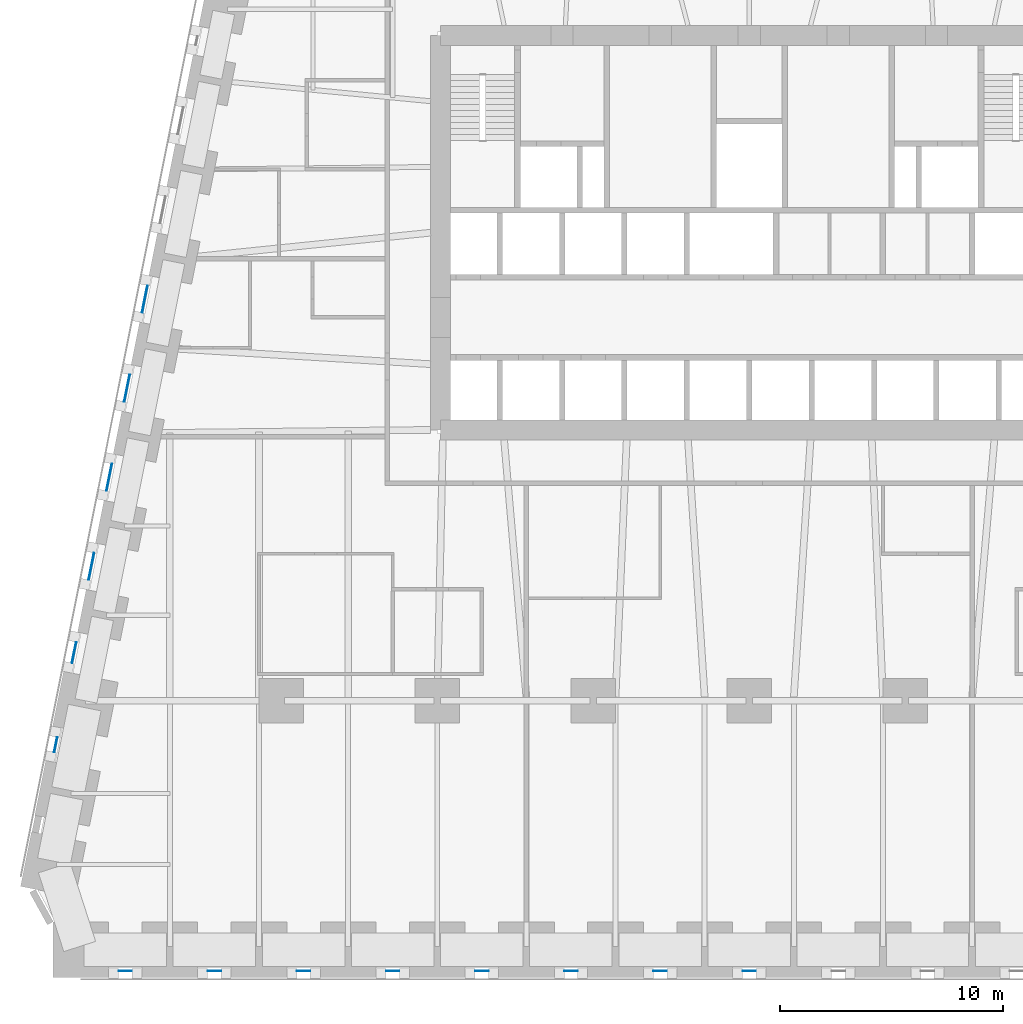
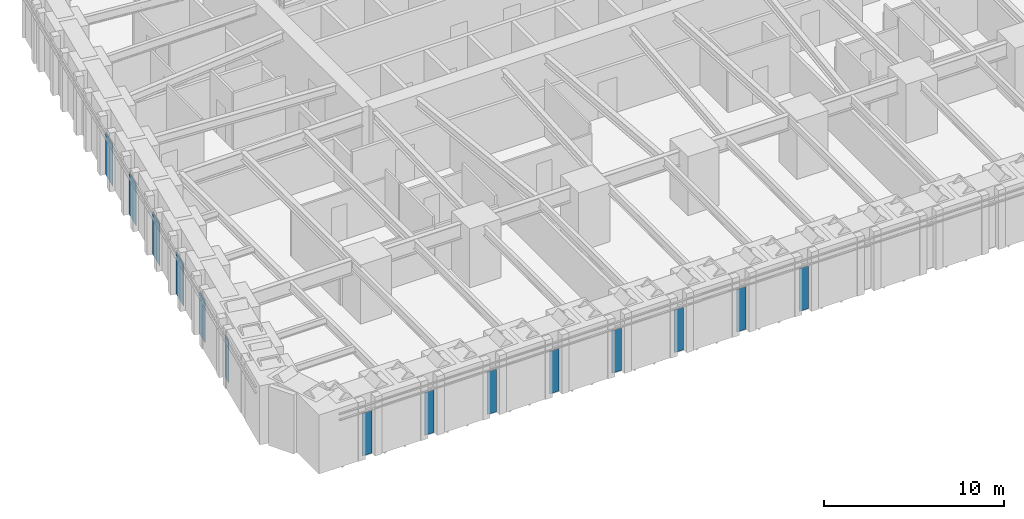
# One storey, part 7 of 16: 14 plates, 14 elements without a shape of their own.
"""IFC4 building model written with IfcOpenShell, lengths in metres."""

from ifc_helpers import new_model, si_unit, direction, frame, origin, origin_2d, place, context, subcontext, project, spatial, rectangle, extrude, material, layer, layer_set, type_object, element, aggregate, save


model = new_model("IFC4")

# Units and contexts
model_context = context("Model", 3, precision=1e-05, world=origin(), true_north=direction((0.0, 1.0)))
body_context = subcontext(model_context, "Body", "Model", "MODEL_VIEW")
ifc_project = project(units=[si_unit("LENGTHUNIT", "METRE"), si_unit("AREAUNIT", "SQUARE_METRE"), si_unit("VOLUMEUNIT", "CUBIC_METRE"), si_unit("PLANEANGLEUNIT", "RADIAN"), si_unit("MASSUNIT", "GRAM", prefix="KILO")], contexts=[model_context])

# Site, building, storey
site_placement = place(None, origin())
site = spatial("IfcSite", under=ifc_project, at=site_placement, CompositionType="ELEMENT")
building_placement = place(site_placement, origin())
building = spatial("IfcBuilding", under=site, at=building_placement, Name="Isbrekke Arena Tower", CompositionType="ELEMENT")
storey_placement = place(building_placement, frame((0.0, 0.0, 40.0)))
storey = spatial("IfcBuildingStorey", under=building, at=storey_placement, Name="L07", CompositionType="ELEMENT", Elevation=40.0)

# Curtain wall, plate
ifc_material_1 = material(Name="Glazed aluminium curtain wall", Category="aluminium")
curtain_wall_type = type_object("IfcCurtainWallType", Name="CWL TOWER CURTAIN WALL LOW ZONE", PredefinedType="USERDEFINED", material=ifc_material_1)
curtain_wall_1_placement = place(storey_placement, origin())
curtain_wall_1 = element("IfcCurtainWall", 1, at=curtain_wall_1_placement, inside=storey, type_object=curtain_wall_type, Name="CWL curtain wall L07-S", ObjectType="TOWER CURTAIN WALL LOW ZONE", PredefinedType="USERDEFINED")
ifc_material_2 = material(Name="Triple-glazed clear glass unit", Category="glass")
ifc_layer = layer(ifc_material_2, 0.031982421875)
ifc_layer_set = layer_set([ifc_layer], Name="CWL-P VISION PANEL")
plate_type = type_object("IfcPlateType", Name="CWL-P VISION PANEL", PredefinedType="CURTAIN_PANEL", material=ifc_layer_set)
plate_1_placement = place(storey_placement, frame((-28.0009765625, -18.125, 0.02001953125), z_axis=(0.0, 0.0, 1.0), x_axis=(1.0, 0.0, 0.0)))
plate_1 = element("IfcPlate", 2, at=plate_1_placement, type_object=plate_type, Name="CWL-P panel 1", PredefinedType="CURTAIN_PANEL", context=body_context, shape_type="SweptSolid", body=[
    extrude(rectangle(XDim=0.60205078125, YDim=0.031982421875, at=origin_2d()), origin(), (0.0, 0.0, 1.0), 2.8798828125),
])
aggregate(curtain_wall_1, [plate_1])

curtain_wall_2_placement = place(storey_placement, origin())
curtain_wall_2 = element("IfcCurtainWall", 3, at=curtain_wall_2_placement, inside=storey, type_object=curtain_wall_type, Name="CWL curtain wall L07-S3", ObjectType="TOWER CURTAIN WALL LOW ZONE", PredefinedType="USERDEFINED")
plate_2_placement = place(storey_placement, frame((-24.0, -18.125, 0.02001953125), z_axis=(0.0, 0.0, 1.0), x_axis=(1.0, 0.0, 0.0)))
plate_2 = element("IfcPlate", 4, at=plate_2_placement, type_object=plate_type, Name="CWL-P panel 1", PredefinedType="CURTAIN_PANEL", context=body_context, shape_type="SweptSolid", body=[
    extrude(rectangle(XDim=0.60009765625, YDim=0.031982421875, at=origin_2d()), origin(), (0.0, 0.0, 1.0), 2.8798828125),
])
aggregate(curtain_wall_2, [plate_2])

curtain_wall_3_placement = place(storey_placement, origin())
curtain_wall_3 = element("IfcCurtainWall", 5, at=curtain_wall_3_placement, inside=storey, type_object=curtain_wall_type, Name="CWL curtain wall L07-S5", ObjectType="TOWER CURTAIN WALL LOW ZONE", PredefinedType="USERDEFINED")
plate_3_placement = place(storey_placement, frame((-20.0, -18.125, 0.02001953125), z_axis=(0.0, 0.0, 1.0), x_axis=(1.0, 0.0, 0.0)))
plate_3 = element("IfcPlate", 6, at=plate_3_placement, type_object=plate_type, Name="CWL-P panel 1", PredefinedType="CURTAIN_PANEL", context=body_context, shape_type="SweptSolid", body=[
    extrude(rectangle(XDim=0.60009765625, YDim=0.031982421875, at=origin_2d()), origin(), (0.0, 0.0, 1.0), 2.8798828125),
])
aggregate(curtain_wall_3, [plate_3])

curtain_wall_4_placement = place(storey_placement, origin())
curtain_wall_4 = element("IfcCurtainWall", 7, at=curtain_wall_4_placement, inside=storey, type_object=curtain_wall_type, Name="CWL curtain wall L07-S7", ObjectType="TOWER CURTAIN WALL LOW ZONE", PredefinedType="USERDEFINED")
plate_4_placement = place(storey_placement, frame((-16.0, -18.125, 0.02001953125), z_axis=(0.0, 0.0, 1.0), x_axis=(1.0, 0.0, 0.0)))
plate_4 = element("IfcPlate", 8, at=plate_4_placement, type_object=plate_type, Name="CWL-P panel 1", PredefinedType="CURTAIN_PANEL", context=body_context, shape_type="SweptSolid", body=[
    extrude(rectangle(XDim=0.60009765625, YDim=0.031982421875, at=origin_2d()), origin(), (0.0, 0.0, 1.0), 2.8798828125),
])
aggregate(curtain_wall_4, [plate_4])

curtain_wall_5_placement = place(storey_placement, origin())
curtain_wall_5 = element("IfcCurtainWall", 9, at=curtain_wall_5_placement, inside=storey, type_object=curtain_wall_type, Name="CWL curtain wall L07-S9", ObjectType="TOWER CURTAIN WALL LOW ZONE", PredefinedType="USERDEFINED")
plate_5_placement = place(storey_placement, frame((-12.0, -18.125, 0.02001953125), z_axis=(0.0, 0.0, 1.0), x_axis=(1.0, 0.0, 0.0)))
plate_5 = element("IfcPlate", 10, at=plate_5_placement, type_object=plate_type, Name="CWL-P panel 1", PredefinedType="CURTAIN_PANEL", context=body_context, shape_type="SweptSolid", body=[
    extrude(rectangle(XDim=0.60009765625, YDim=0.031982421875, at=origin_2d()), origin(), (0.0, 0.0, 1.0), 2.8798828125),
])
aggregate(curtain_wall_5, [plate_5])

curtain_wall_6_placement = place(storey_placement, origin())
curtain_wall_6 = element("IfcCurtainWall", 11, at=curtain_wall_6_placement, inside=storey, type_object=curtain_wall_type, Name="CWL curtain wall L07-S11", ObjectType="TOWER CURTAIN WALL LOW ZONE", PredefinedType="USERDEFINED")
plate_6_placement = place(storey_placement, frame((-8.0, -18.125, 0.02001953125), z_axis=(0.0, 0.0, 1.0), x_axis=(1.0, 0.0, 0.0)))
plate_6 = element("IfcPlate", 12, at=plate_6_placement, type_object=plate_type, Name="CWL-P panel 1", PredefinedType="CURTAIN_PANEL", context=body_context, shape_type="SweptSolid", body=[
    extrude(rectangle(XDim=0.60009765625, YDim=0.031982421875, at=origin_2d()), origin(), (0.0, 0.0, 1.0), 2.8798828125),
])
aggregate(curtain_wall_6, [plate_6])

curtain_wall_7_placement = place(storey_placement, origin())
curtain_wall_7 = element("IfcCurtainWall", 13, at=curtain_wall_7_placement, inside=storey, type_object=curtain_wall_type, Name="CWL curtain wall L07-S13", ObjectType="TOWER CURTAIN WALL LOW ZONE", PredefinedType="USERDEFINED")
plate_7_placement = place(storey_placement, frame((-4.0, -18.125, 0.02001953125), z_axis=(0.0, 0.0, 1.0), x_axis=(1.0, 0.0, 0.0)))
plate_7 = element("IfcPlate", 14, at=plate_7_placement, type_object=plate_type, Name="CWL-P panel 1", PredefinedType="CURTAIN_PANEL", context=body_context, shape_type="SweptSolid", body=[
    extrude(rectangle(XDim=0.60009765625, YDim=0.031982421875, at=origin_2d()), origin(), (0.0, 0.0, 1.0), 2.8798828125),
])
aggregate(curtain_wall_7, [plate_7])

curtain_wall_8_placement = place(storey_placement, origin())
curtain_wall_8 = element("IfcCurtainWall", 15, at=curtain_wall_8_placement, inside=storey, type_object=curtain_wall_type, Name="CWL curtain wall L07-S15", ObjectType="TOWER CURTAIN WALL LOW ZONE", PredefinedType="USERDEFINED")
plate_8_placement = place(storey_placement, frame((0.0, -18.125, 0.02001953125), z_axis=(0.0, 0.0, 1.0), x_axis=(1.0, 0.0, 0.0)))
plate_8 = element("IfcPlate", 16, at=plate_8_placement, type_object=plate_type, Name="CWL-P panel 1", PredefinedType="CURTAIN_PANEL", context=body_context, shape_type="SweptSolid", body=[
    extrude(rectangle(XDim=0.60009765625, YDim=0.031982421875, at=origin_2d()), origin(), (0.0, 0.0, 1.0), 2.8798828125),
])
aggregate(curtain_wall_8, [plate_8])

curtain_wall_9_placement = place(storey_placement, origin())
curtain_wall_9 = element("IfcCurtainWall", 17, at=curtain_wall_9_placement, inside=storey, type_object=curtain_wall_type, Name="CWL curtain wall L07-W7", ObjectType="TOWER CURTAIN WALL LOW ZONE", PredefinedType="USERDEFINED")
plate_9_placement = place(storey_placement, frame((-27.12255859375, 12.0244140625, 0.02001953125), z_axis=(0.0, 0.0, 1.0), x_axis=(-0.196116135138, -0.980580675691, 0.0)))
plate_9 = element("IfcPlate", 18, at=plate_9_placement, type_object=plate_type, Name="CWL-P panel 1", PredefinedType="CURTAIN_PANEL", context=body_context, shape_type="SweptSolid", body=[
    extrude(rectangle(XDim=1.229248046875, YDim=0.031982421875, at=origin_2d()), origin(), (0.0, 0.0, 1.0), 2.8798828125),
])
aggregate(curtain_wall_9, [plate_9])

curtain_wall_10_placement = place(storey_placement, origin())
curtain_wall_10 = element("IfcCurtainWall", 19, at=curtain_wall_10_placement, inside=storey, type_object=curtain_wall_type, Name="CWL curtain wall L07-W9", ObjectType="TOWER CURTAIN WALL LOW ZONE", PredefinedType="USERDEFINED")
plate_10_placement = place(storey_placement, frame((-27.922607421875, 8.0244140625, 0.02001953125), z_axis=(0.0, 0.0, 1.0), x_axis=(-0.196116135138, -0.980580675691, 0.0)))
plate_10 = element("IfcPlate", 20, at=plate_10_placement, type_object=plate_type, Name="CWL-P panel 1", PredefinedType="CURTAIN_PANEL", context=body_context, shape_type="SweptSolid", body=[
    extrude(rectangle(XDim=1.229248046875, YDim=0.031982421875, at=origin_2d()), origin(), (0.0, 0.0, 1.0), 2.8798828125),
])
aggregate(curtain_wall_10, [plate_10])

curtain_wall_11_placement = place(storey_placement, origin())
curtain_wall_11 = element("IfcCurtainWall", 21, at=curtain_wall_11_placement, inside=storey, type_object=curtain_wall_type, Name="CWL curtain wall L07-W11", ObjectType="TOWER CURTAIN WALL LOW ZONE", PredefinedType="USERDEFINED")
plate_11_placement = place(storey_placement, frame((-28.72265625, 4.0244140625, 0.02001953125), z_axis=(0.0, 0.0, 1.0), x_axis=(-0.196116135138, -0.980580675691, 0.0)))
plate_11 = element("IfcPlate", 22, at=plate_11_placement, type_object=plate_type, Name="CWL-P panel 1", PredefinedType="CURTAIN_PANEL", context=body_context, shape_type="SweptSolid", body=[
    extrude(rectangle(XDim=1.229248046875, YDim=0.031982421875, at=origin_2d()), origin(), (0.0, 0.0, 1.0), 2.8798828125),
])
aggregate(curtain_wall_11, [plate_11])

curtain_wall_12_placement = place(storey_placement, origin())
curtain_wall_12 = element("IfcCurtainWall", 23, at=curtain_wall_12_placement, inside=storey, type_object=curtain_wall_type, Name="CWL curtain wall L07-W13", ObjectType="TOWER CURTAIN WALL LOW ZONE", PredefinedType="USERDEFINED")
plate_12_placement = place(storey_placement, frame((-29.5224609375, 0.0244140625, 0.02001953125), z_axis=(0.0, 0.0, 1.0), x_axis=(-0.196116135138, -0.980580675691, 0.0)))
plate_12 = element("IfcPlate", 24, at=plate_12_placement, type_object=plate_type, Name="CWL-P panel 1", PredefinedType="CURTAIN_PANEL", context=body_context, shape_type="SweptSolid", body=[
    extrude(rectangle(XDim=1.229248046875, YDim=0.031982421875, at=origin_2d()), origin(), (0.0, 0.0, 1.0), 2.8798828125),
])
aggregate(curtain_wall_12, [plate_12])

curtain_wall_13_placement = place(storey_placement, origin())
curtain_wall_13 = element("IfcCurtainWall", 25, at=curtain_wall_13_placement, inside=storey, type_object=curtain_wall_type, Name="CWL curtain wall L07-W15", ObjectType="TOWER CURTAIN WALL LOW ZONE", PredefinedType="USERDEFINED")
plate_13_placement = place(storey_placement, frame((-30.295654296875, -3.840576171875, 0.02001953125), z_axis=(0.0, 0.0, 1.0), x_axis=(-0.196116135138, -0.980580675691, 0.0)))
plate_13 = element("IfcPlate", 26, at=plate_13_placement, type_object=plate_type, Name="CWL-P panel 1", PredefinedType="CURTAIN_PANEL", context=body_context, shape_type="SweptSolid", body=[
    extrude(rectangle(XDim=0.9541015625, YDim=0.031982421875, at=origin_2d()), origin(), (0.0, 0.0, 1.0), 2.8798828125),
])
aggregate(curtain_wall_13, [plate_13])

curtain_wall_14_placement = place(storey_placement, origin())
curtain_wall_14 = element("IfcCurtainWall", 27, at=curtain_wall_14_placement, inside=storey, type_object=curtain_wall_type, Name="CWL curtain wall L07-W17", ObjectType="TOWER CURTAIN WALL LOW ZONE", PredefinedType="USERDEFINED")
plate_14_placement = place(storey_placement, frame((-31.12255859375, -7.9755859375, 0.02001953125), z_axis=(0.0, 0.0, 1.0), x_axis=(-0.196116135138, -0.980580675691, 0.0)))
plate_14 = element("IfcPlate", 28, at=plate_14_placement, type_object=plate_type, Name="CWL-P panel 1", PredefinedType="CURTAIN_PANEL", context=body_context, shape_type="SweptSolid", body=[
    extrude(rectangle(XDim=0.67919921875, YDim=0.031982421875, at=origin_2d()), origin(), (0.0, 0.0, 1.0), 2.8798828125),
])
aggregate(curtain_wall_14, [plate_14])

save(model, "model.ifc")
